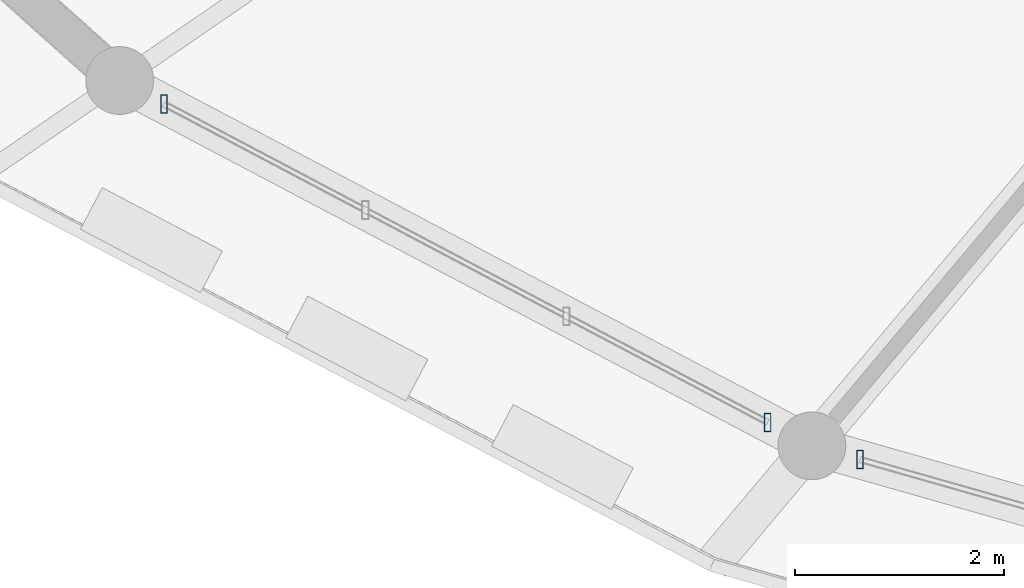
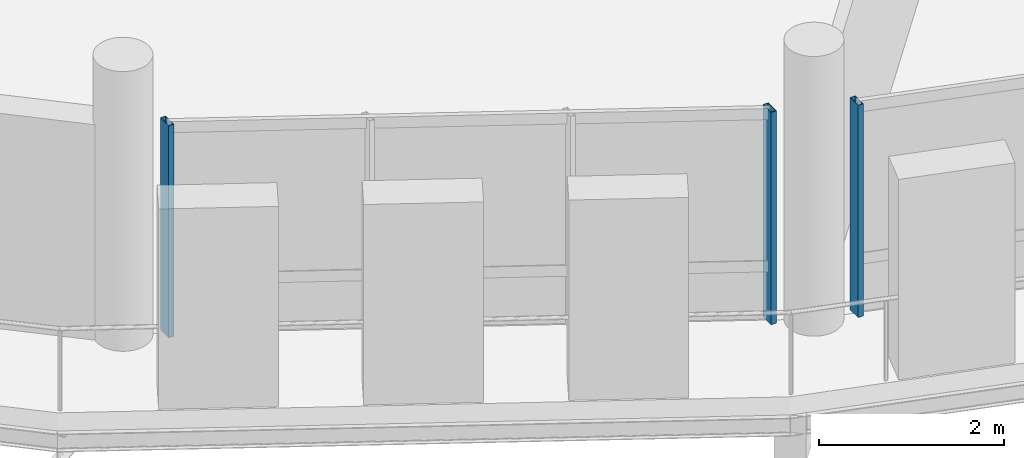
# One storey, part 22 of 84: 3 members, 2 elements without a shape of their own.
"""IFC4 building model written with IfcOpenShell, lengths in metres."""

from ifc_helpers import new_model, si_unit, direction, frame, origin, origin_2d, place, context, subcontext, project, spatial, hollow_rectangle, extrude, material, material_profile, profile_set, type_object, element, aggregate, save


model = new_model("IFC4")

# Units and contexts
model_context = context("Model", 3, precision=1e-05, world=origin(), true_north=direction((0.0, 1.0)))
body_context = subcontext(model_context, "Body", "Model", "MODEL_VIEW")
ifc_project = project(units=[si_unit("LENGTHUNIT", "METRE"), si_unit("AREAUNIT", "SQUARE_METRE"), si_unit("VOLUMEUNIT", "CUBIC_METRE"), si_unit("PLANEANGLEUNIT", "RADIAN"), si_unit("MASSUNIT", "GRAM", prefix="KILO")], contexts=[model_context])

# Site, building, storey
site_placement = place(None, origin())
site = spatial("IfcSite", under=ifc_project, at=site_placement, CompositionType="ELEMENT")
building_placement = place(site_placement, origin())
building = spatial("IfcBuilding", under=site, at=building_placement, Name="Zornivar Specialist Clinic", CompositionType="ELEMENT")
storey_placement = place(building_placement, frame((0.0, 0.0, 12.300048828125)))
storey = spatial("IfcBuildingStorey", under=building, at=storey_placement, Name="L03", CompositionType="ELEMENT", Elevation=12.300048828125)

# Curtain wall, members
ifc_material_1 = material(Name="Aluminium and Low-E Glass Curtain Wall", Category="aluminium")
curtain_wall_type = type_object("IfcCurtainWallType", Name="CW-DRUM-FACET", PredefinedType="NOTDEFINED", material=ifc_material_1)
curtain_wall_1_placement = place(storey_placement, origin())
curtain_wall_1 = element("IfcCurtainWall", 1, at=curtain_wall_1_placement, inside=storey, type_object=curtain_wall_type, Name="cw:V1:L03:c15", PredefinedType="NOTDEFINED")
ifc_material_2 = material(Name="Aluminium AW-6060", Category="aluminium")
ifc_material_profile = material_profile(ifc_material_2, hollow_rectangle(XDim=0.06494140625, YDim=0.175048828125, WallThickness=0.00439453125, at=origin_2d()), Name="ALU 65x175x4.5")
ifc_profile_set = profile_set([ifc_material_profile], Name="Aluminium AW-6060")
member_type = type_object("IfcMemberType", Name="CWM-MUL-175", PredefinedType="MULLION", material=ifc_profile_set)
member_1_placement = place(storey_placement, frame((71.39697265625, 41.820068359375, 0.0), z_axis=(0.0, 0.0, 1.0), x_axis=(1.0, 0.0, 0.0)))
member_1 = element("IfcMember", 2, at=member_1_placement, type_object=member_type, Name="cw:V1:L03:c15:mul:0", PredefinedType="MULLION", context=body_context, shape_type="SweptSolid", body=[
    extrude(hollow_rectangle(XDim=0.06494140625, YDim=0.175048828125, WallThickness=0.00439453125, at=origin_2d()), origin(), (0.0, 0.0, 1.0), 2.81005859375),
])
member_2_placement = place(storey_placement, frame((77.176025390625, 38.77099609375, 0.0), z_axis=(0.0, 0.0, 1.0), x_axis=(1.0, 0.0, 0.0)))
member_2 = element("IfcMember", 3, at=member_2_placement, type_object=member_type, Name="cw:V1:L03:c15:mul:3", PredefinedType="MULLION", context=body_context, shape_type="SweptSolid", body=[
    extrude(hollow_rectangle(XDim=0.06494140625, YDim=0.175048828125, WallThickness=0.00439453125, at=origin_2d()), origin(), (0.0, 0.0, 1.0), 2.81005859375),
])
aggregate(curtain_wall_1, [member_1, member_2])

# Curtain wall, member
curtain_wall_2_placement = place(storey_placement, origin())
curtain_wall_2 = element("IfcCurtainWall", 4, at=curtain_wall_2_placement, inside=storey, type_object=curtain_wall_type, Name="cw:V1:L03:c16", PredefinedType="NOTDEFINED")
member_3_placement = place(storey_placement, frame((78.06103515625, 38.416015625, 0.0), z_axis=(0.0, 0.0, 1.0), x_axis=(1.0, 0.0, 0.0)))
member_3 = element("IfcMember", 5, at=member_3_placement, type_object=member_type, Name="cw:V1:L03:c16:mul:0", PredefinedType="MULLION", context=body_context, shape_type="SweptSolid", body=[
    extrude(hollow_rectangle(XDim=0.06494140625, YDim=0.175048828125, WallThickness=0.00439453125, at=origin_2d()), origin(), (0.0, 0.0, 1.0), 2.81005859375),
])
aggregate(curtain_wall_2, [member_3])

save(model, "model.ifc")
